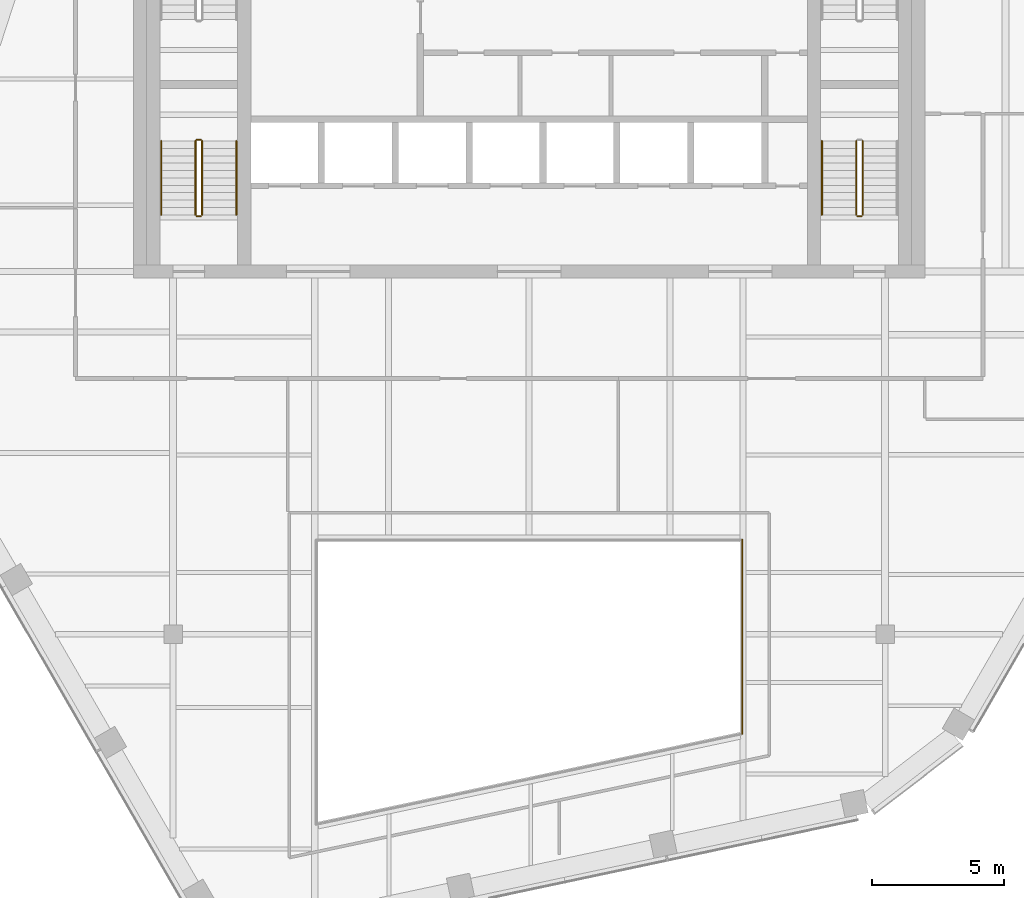
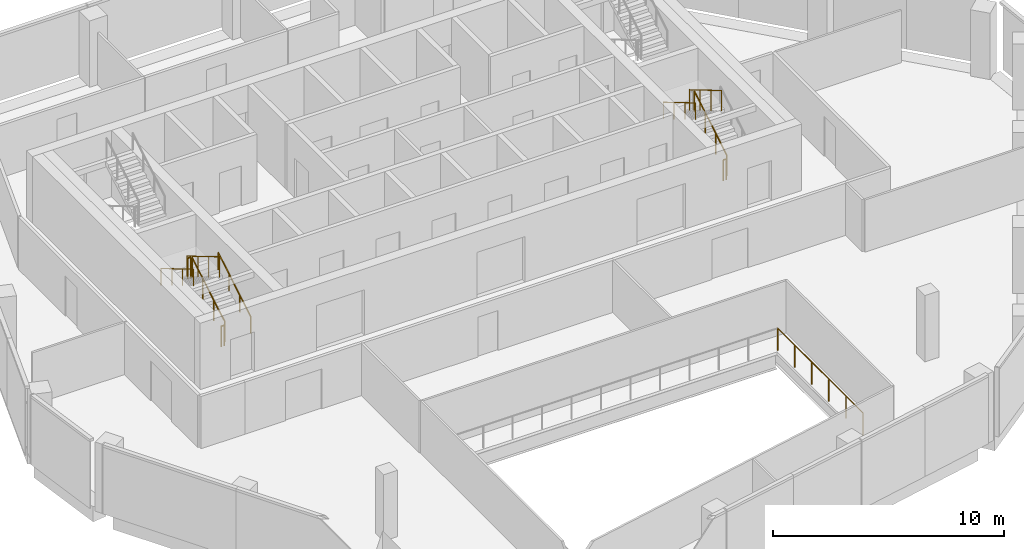
# One storey, part 12 of 15: 11 railings.
"""IFC4 building model written with IfcOpenShell, lengths in metres."""

import ifcopenshell
import ifcopenshell.guid

model = None  # the IFC model being written
_history = None  # IfcOwnerHistory: only IFC2X3 demands one
_inside = {}  # id of a spatial element -> (the spatial element, [elements in it])
_under = {}  # id of a project, library or spatial element -> (it, [spatial elements below it])
_declared = {}  # id of a project -> (the project, [libraries it declares])
_typed = {}  # id of a type object -> (the type object, [elements of that type])
_made_of = {}  # id of a material, layer set ... -> (it, [elements and type objects made of it])


def new_model(schema):
    """Start an empty IFC model of exactly this schema.

    Asked for "IFC4X3", IfcOpenShell would pick the latest addendum, in which some entities
    have other attributes; the version numbers below select the first issue.
    IFC2X3 requires an IfcOwnerHistory on every rooted entity: one is made here for all.
    """
    global model, _history
    if schema == "IFC4X3":
        model = ifcopenshell.file(schema_version=(4, 3, 0, 0))
    else:
        model = ifcopenshell.file(schema=schema)
    _inside.clear()
    _under.clear()
    _declared.clear()
    _typed.clear()
    _made_of.clear()
    _history = None
    if model.schema == "IFC2X3":
        org = make("IfcOrganization", Name="unknown")
        user = make(
            "IfcPersonAndOrganization",
            ThePerson=make("IfcPerson", FamilyName="unknown"),
            TheOrganization=org,
        )
        app = make(
            "IfcApplication",
            ApplicationDeveloper=org,
            Version="unknown",
            ApplicationFullName="unknown",
            ApplicationIdentifier="unknown",
        )
        _history = make(
            "IfcOwnerHistory",
            OwningUser=user,
            OwningApplication=app,
            ChangeAction="ADDED",
            CreationDate=0,
        )
    return model


def make(cls, **values):
    """One entity of the class cls with the attributes given. An attribute that is None is left unset."""
    return model.create_entity(
        cls, **{name: value for name, value in values.items() if value is not None}
    )


def rooted(cls, **values):
    """An entity with a GlobalId (a new one), such as an element, a storey or a relation."""
    return make(cls, GlobalId=ifcopenshell.guid.new(), OwnerHistory=_history, **values)


def si_unit(unit_type, name, prefix=None):
    """IfcSIUnit, for example si_unit("LENGTHUNIT", "METRE", prefix="MILLI")."""
    return make("IfcSIUnit", UnitType=unit_type, Prefix=prefix, Name=name)


def assignment(units):
    """IfcUnitAssignment: the units of a project."""
    return None if units is None else make("IfcUnitAssignment", Units=units)


def point(xyz):
    """IfcCartesianPoint."""
    return None if xyz is None else make("IfcCartesianPoint", Coordinates=xyz)


def direction(xyz):
    """IfcDirection."""
    return None if xyz is None else make("IfcDirection", DirectionRatios=xyz)


def frame(location, z_axis=None, x_axis=None):
    """IfcAxis2Placement3D, a coordinate frame: its origin and axes. An axis left out is left unset."""
    return make(
        "IfcAxis2Placement3D",
        Location=point(location),
        Axis=direction(z_axis),
        RefDirection=direction(x_axis),
    )


def frame_2d(location, x_axis=None):
    """IfcAxis2Placement2D, a coordinate frame in the plane: its origin and x axis."""
    return make(
        "IfcAxis2Placement2D", Location=point(location), RefDirection=direction(x_axis)
    )


def origin():
    """The frame at (0, 0, 0) with its axes left unset."""
    return frame((0.0, 0.0, 0.0))


def origin_2d():
    """The frame at (0, 0) in the plane with its x axis left unset."""
    return frame_2d((0.0, 0.0))


def place(relative_to, where):
    """IfcLocalPlacement: puts the frame where relative to a parent placement (None: the world)."""
    return make(
        "IfcLocalPlacement", PlacementRelTo=relative_to, RelativePlacement=where
    )


def context(
    kind, dimensions, precision=None, world=None, true_north=None, identifier=None
):
    """IfcGeometricRepresentationContext, for example the 3D "Model" context."""
    return make(
        "IfcGeometricRepresentationContext",
        ContextIdentifier=identifier,
        ContextType=kind,
        CoordinateSpaceDimension=dimensions,
        Precision=precision,
        WorldCoordinateSystem=world,
        TrueNorth=true_north,
    )


def subcontext(parent, identifier, kind, view, scale=None):
    """IfcGeometricRepresentationSubContext, for example "Body" below "Model"."""
    return make(
        "IfcGeometricRepresentationSubContext",
        ContextIdentifier=identifier,
        ContextType=kind,
        ParentContext=parent,
        TargetScale=scale,
        TargetView=view,
    )


def project(units=None, contexts=None):
    """IfcProject with its units and contexts."""
    return rooted(
        "IfcProject",
        Name="project",
        RepresentationContexts=contexts,
        UnitsInContext=assignment(units),
    )


def spatial(cls, under=None, at=None, **own):
    """A site, building, storey or space (cls), placed at a placement, below another one or the project."""
    s = rooted(cls, ObjectPlacement=at, **own)
    if under is not None:
        _under.setdefault(under.id(), (under, []))[1].append(s)
    return s


def profile(cls, at=None, kind="AREA", **sizes):
    """A parametric profile (cls). Its sizes go by their IFC names, for example OverallWidth=200.0."""
    return make(cls, ProfileType=kind, Position=at, **sizes)


def circle(**sizes):
    """IfcCircleProfileDef."""
    return profile("IfcCircleProfileDef", **sizes)


def extrude(swept, where, along, depth):
    """IfcExtrudedAreaSolid: the profile swept, set in the frame where, extruded along a direction by depth."""
    return make(
        "IfcExtrudedAreaSolid",
        SweptArea=swept,
        Position=where,
        ExtrudedDirection=direction(along),
        Depth=depth,
    )


def shape(context_of_items, identifier, shape_type, items):
    """IfcShapeRepresentation: the items that make up one representation, for example the "Body"."""
    return make(
        "IfcShapeRepresentation",
        ContextOfItems=context_of_items,
        RepresentationIdentifier=identifier,
        RepresentationType=shape_type,
        Items=items,
    )


def material(Name=None, Category=None):
    """IfcMaterial."""
    return make("IfcMaterial", Name=Name, Category=Category)


def made_of(thing, what):
    """Note that an element or type object is made of a material, layer set ...; save() writes the relation."""
    if what is not None:
        _made_of.setdefault(what.id(), (what, []))[1].append(thing)
    return thing


def type_object(cls, material=None, **own):
    """A type object (cls), such as IfcWallType, which elements share."""
    return made_of(rooted(cls, **own), material)


def element(
    cls,
    number,
    at=None,
    inside=None,
    cuts=None,
    type_object=None,
    material=None,
    context=None,
    identifier="Body",
    shape_type=None,
    held_by="IfcProductDefinitionShape",
    body=None,
    shapes=None,
    **own,
):
    """One element of the class cls, such as IfcWall. Its Tag is "e" and its number.

    at: its placement. inside: the storey or other place that contains it. cuts: it is an
    opening in that element (IfcRelVoidsElement). A single representation is given by context,
    identifier, shape_type and body (its items); several are given by shapes. held_by: the class
    of the entity that holds the representations. save() writes the other relations.
    """
    e = rooted(cls, Tag="e%d" % number, ObjectPlacement=at, **own)
    if body is not None:
        shapes = [shape(context, identifier, shape_type, body)]
    if shapes is not None:
        e.Representation = make(held_by, Representations=shapes)
    if inside is not None:
        _inside.setdefault(inside.id(), (inside, []))[1].append(e)
    if cuts is not None:
        rooted(
            "IfcRelVoidsElement", RelatingBuildingElement=cuts, RelatedOpeningElement=e
        )
    if type_object is not None:
        _typed.setdefault(type_object.id(), (type_object, []))[1].append(e)
    return made_of(e, material)


def aggregate(whole, parts):
    """IfcRelAggregates: a whole, such as a stair, and the parts it consists of."""
    return rooted("IfcRelAggregates", RelatingObject=whole, RelatedObjects=parts)


def save(model, path):
    """Write the relations noted so far, then the file.

    IfcRelAggregates (storeys below a building ...), IfcRelContainedInSpatialStructure (elements
    in a storey), IfcRelDefinesByType, IfcRelAssociatesMaterial and IfcRelDeclares: one each for
    every whole, place, type object, material and project.
    """
    for whole, parts in _under.values():
        aggregate(whole, parts)
    for where, things in _inside.values():
        rooted(
            "IfcRelContainedInSpatialStructure",
            RelatedElements=things,
            RelatingStructure=where,
        )
    for kind, things in _typed.values():
        rooted("IfcRelDefinesByType", RelatedObjects=things, RelatingType=kind)
    for what, things in _made_of.values():
        rooted("IfcRelAssociatesMaterial", RelatedObjects=things, RelatingMaterial=what)
    for by, libraries in _declared.values():
        rooted("IfcRelDeclares", RelatingContext=by, RelatedDefinitions=libraries)
    model.write(path)


model = new_model("IFC4")

# Units and contexts
model_context = context("Model", 3, precision=1e-05, world=origin(), true_north=direction((0.0, 1.0)))
body_context = subcontext(model_context, "Body", "Model", "MODEL_VIEW")
ifc_project = project(units=[si_unit("LENGTHUNIT", "METRE"), si_unit("AREAUNIT", "SQUARE_METRE"), si_unit("VOLUMEUNIT", "CUBIC_METRE"), si_unit("PLANEANGLEUNIT", "RADIAN"), si_unit("MASSUNIT", "GRAM", prefix="KILO")], contexts=[model_context])

# Site, building, storey
site_placement = place(None, origin())
site = spatial("IfcSite", under=ifc_project, at=site_placement, CompositionType="ELEMENT")
building_placement = place(site_placement, origin())
building = spatial("IfcBuilding", under=site, at=building_placement, Name="Isthmus Gate Tower", CompositionType="ELEMENT")
storey_placement = place(building_placement, frame((0.0, 0.0, 275.550048828125)))
storey = spatial("IfcBuildingStorey", under=building, at=storey_placement, Name="L70", CompositionType="ELEMENT", Elevation=275.550048828125)

# Railings
ifc_material_1 = material(Name="Laminated toughened glass balustrade with steel rail", Category="steel")
railing_type_1 = type_object("IfcRailingType", Name="ATRIUM GUARD GLASS BALUSTRADE 1200", PredefinedType="GUARDRAIL", material=ifc_material_1)
railing_1_placement = place(storey_placement, frame((8.080078125, -9.919921875, 0.0)))
element("IfcRailing", 1, at=railing_1_placement, inside=storey, type_object=railing_type_1, Name="L70 atrium guard", PredefinedType="GUARDRAIL", context=body_context, shape_type="SweptSolid", body=[
    extrude(circle(Radius=0.02490234375, at=origin_2d()), frame((0.0, 0.0, 1.1748046875), z_axis=(0.0, -1.0, 0.0), x_axis=(1.0, 0.0, 0.0)), (0.0, 0.0, 1.0), 7.35498046875),
    extrude(circle(Radius=0.02490234375, at=origin_2d()), origin(), (0.0, 0.0, 1.0), 1.14990234375),
    extrude(circle(Radius=0.02490234375, at=origin_2d()), frame((0.0, -1.470947265625, 0.0)), (0.0, 0.0, 1.0), 1.14990234375),
    extrude(circle(Radius=0.02490234375, at=origin_2d()), frame((0.0, -2.94189453125, 0.0)), (0.0, 0.0, 1.0), 1.14990234375),
    extrude(circle(Radius=0.02490234375, at=origin_2d()), frame((0.0, -4.4130859375, 0.0)), (0.0, 0.0, 1.0), 1.14990234375),
    extrude(circle(Radius=0.02490234375, at=origin_2d()), frame((0.0, -5.884033203125, 0.0)), (0.0, 0.0, 1.0), 1.14990234375),
    extrude(circle(Radius=0.02490234375, at=origin_2d()), frame((0.0, -7.35498046875, 0.0)), (0.0, 0.0, 1.0), 1.14990234375),
])
ifc_material_2 = material(Name="Stainless steel balustrade", Category="steel")
railing_type_2 = type_object("IfcRailingType", Name="STAIR GUARD 1100", PredefinedType="GUARDRAIL", material=ifc_material_2)
railing_2_placement = place(storey_placement, frame((-12.39990234375, 2.39990234375, 0.165771484375)))
element("IfcRailing", 2, at=railing_2_placement, inside=storey, type_object=railing_type_2, Name="L70 ST7 stair guard 1", PredefinedType="GUARDRAIL", context=body_context, shape_type="SweptSolid", body=[
    extrude(circle(Radius=0.02392578125, at=origin_2d()), frame((0.0, 0.0, 1.076171875), z_axis=(0.0, 0.860306154799, 0.50977771628), x_axis=(-1.0, 0.0, 0.0)), (0.0, 0.0, 1.0), 3.254638671875),
    extrude(circle(Radius=0.02099609375, at=origin_2d()), origin(), (0.0, 0.0, 1.0), 1.052001953125),
    extrude(circle(Radius=0.02099609375, at=origin_2d()), frame((0.0, 0.933349609375, 0.552978515625)), (0.0, 0.0, 1.0), 1.052001953125),
    extrude(circle(Radius=0.02099609375, at=origin_2d()), frame((0.0, 1.86669921875, 1.106201171875)), (0.0, 0.0, 1.0), 1.052001953125),
    extrude(circle(Radius=0.02099609375, at=origin_2d()), frame((0.0, 2.800048828125, 1.6591796875)), (0.0, 0.0, 1.0), 1.052001953125),
])
railing_3_placement = place(storey_placement, frame((-12.449951171875, 5.25, 1.824951171875)))
element("IfcRailing", 3, at=railing_3_placement, inside=storey, type_object=railing_type_2, Name="L70 ST7 stair guard 2", PredefinedType="GUARDRAIL", context=body_context, shape_type="SweptSolid", body=[
    extrude(circle(Radius=0.02392578125, at=origin_2d()), frame((0.0, 0.0, 1.076171875), z_axis=(-1.0, 0.0, 0.0), x_axis=(0.0, -1.0, 0.0)), (0.0, 0.0, 1.0), 0.150146484375),
    extrude(circle(Radius=0.02099609375, at=origin_2d()), origin(), (0.0, 0.0, 1.0), 1.052001953125),
    extrude(circle(Radius=0.02099609375, at=origin_2d()), frame((-0.150146484375, 0.0, 0.0)), (0.0, 0.0, 1.0), 1.052001953125),
])
railing_4_placement = place(storey_placement, frame((-12.64990234375, 5.199951171875, 1.990966796875)))
element("IfcRailing", 4, at=railing_4_placement, inside=storey, type_object=railing_type_2, Name="L70 ST7 stair guard 3", PredefinedType="GUARDRAIL", context=body_context, shape_type="SweptSolid", body=[
    extrude(circle(Radius=0.02392578125, at=origin_2d()), frame((0.0, 0.0, 1.076171875), z_axis=(0.0, -0.860339051648, 0.50972219513), x_axis=(1.0, 0.0, 0.0)), (0.0, 0.0, 1.0), 3.254638671875),
    extrude(circle(Radius=0.02099609375, at=origin_2d()), origin(), (0.0, 0.0, 1.0), 1.052001953125),
    extrude(circle(Radius=0.02099609375, at=origin_2d()), frame((0.0, -0.933349609375, 0.552978515625)), (0.0, 0.0, 1.0), 1.052001953125),
    extrude(circle(Radius=0.02099609375, at=origin_2d()), frame((0.0, -1.86669921875, 1.10595703125)), (0.0, 0.0, 1.0), 1.052001953125),
    extrude(circle(Radius=0.02099609375, at=origin_2d()), frame((0.0, -2.800048828125, 1.658935546875)), (0.0, 0.0, 1.0), 1.052001953125),
])
railing_5_placement = place(storey_placement, frame((-12.449951171875, 2.35009765625, 0.0)))
element("IfcRailing", 5, at=railing_5_placement, inside=storey, type_object=railing_type_2, Name="L70 ST7 stair guard 4", PredefinedType="GUARDRAIL", context=body_context, shape_type="SweptSolid", body=[
    extrude(circle(Radius=0.02392578125, at=origin_2d()), frame((0.0, 0.0, 1.076171875), z_axis=(-1.0, 0.0, 0.0), x_axis=(0.0, -1.0, 0.0)), (0.0, 0.0, 1.0), 0.150146484375),
    extrude(circle(Radius=0.02099609375, at=origin_2d()), origin(), (0.0, 0.0, 1.0), 1.052001953125),
    extrude(circle(Radius=0.02099609375, at=origin_2d()), frame((-0.150146484375, 0.0, 0.0)), (0.0, 0.0, 1.0), 1.052001953125),
])
railing_6_placement = place(storey_placement, frame((12.64990234375, 2.39990234375, 0.165771484375)))
element("IfcRailing", 6, at=railing_6_placement, inside=storey, type_object=railing_type_2, Name="L70 ST8 stair guard 1", PredefinedType="GUARDRAIL", context=body_context, shape_type="SweptSolid", body=[
    extrude(circle(Radius=0.02392578125, at=origin_2d()), frame((0.0, 0.0, 1.076171875), z_axis=(0.0, 0.860306154799, 0.50977771628), x_axis=(-1.0, 0.0, 0.0)), (0.0, 0.0, 1.0), 3.254638671875),
    extrude(circle(Radius=0.02099609375, at=origin_2d()), origin(), (0.0, 0.0, 1.0), 1.052001953125),
    extrude(circle(Radius=0.02099609375, at=origin_2d()), frame((0.0, 0.933349609375, 0.552978515625)), (0.0, 0.0, 1.0), 1.052001953125),
    extrude(circle(Radius=0.02099609375, at=origin_2d()), frame((0.0, 1.86669921875, 1.106201171875)), (0.0, 0.0, 1.0), 1.052001953125),
    extrude(circle(Radius=0.02099609375, at=origin_2d()), frame((0.0, 2.800048828125, 1.6591796875)), (0.0, 0.0, 1.0), 1.052001953125),
])
railing_7_placement = place(storey_placement, frame((12.39990234375, 5.199951171875, 1.990966796875)))
element("IfcRailing", 7, at=railing_7_placement, inside=storey, type_object=railing_type_2, Name="L70 ST8 stair guard 3", PredefinedType="GUARDRAIL", context=body_context, shape_type="SweptSolid", body=[
    extrude(circle(Radius=0.02392578125, at=origin_2d()), frame((0.0, 0.0, 1.076171875), z_axis=(0.0, -0.860339051648, 0.50972219513), x_axis=(1.0, 0.0, 0.0)), (0.0, 0.0, 1.0), 3.254638671875),
    extrude(circle(Radius=0.02099609375, at=origin_2d()), origin(), (0.0, 0.0, 1.0), 1.052001953125),
    extrude(circle(Radius=0.02099609375, at=origin_2d()), frame((0.0, -0.933349609375, 0.552978515625)), (0.0, 0.0, 1.0), 1.052001953125),
    extrude(circle(Radius=0.02099609375, at=origin_2d()), frame((0.0, -1.86669921875, 1.10595703125)), (0.0, 0.0, 1.0), 1.052001953125),
    extrude(circle(Radius=0.02099609375, at=origin_2d()), frame((0.0, -2.800048828125, 1.658935546875)), (0.0, 0.0, 1.0), 1.052001953125),
])
railing_8_placement = place(storey_placement, frame((12.60009765625, 2.35009765625, 0.0)))
element("IfcRailing", 8, at=railing_8_placement, inside=storey, type_object=railing_type_2, Name="L70 ST8 stair guard 4", PredefinedType="GUARDRAIL", context=body_context, shape_type="SweptSolid", body=[
    extrude(circle(Radius=0.02392578125, at=origin_2d()), frame((0.0, 0.0, 1.076171875), z_axis=(-1.0, 0.0, 0.0), x_axis=(0.0, -1.0, 0.0)), (0.0, 0.0, 1.0), 0.150146484375),
    extrude(circle(Radius=0.02099609375, at=origin_2d()), origin(), (0.0, 0.0, 1.0), 1.052001953125),
    extrude(circle(Radius=0.02099609375, at=origin_2d()), frame((-0.150146484375, 0.0, 0.0)), (0.0, 0.0, 1.0), 1.052001953125),
])
ifc_material_3 = material(Name="Stainless steel handrail", Category="steel")
railing_type_3 = type_object("IfcRailingType", Name="STAIR HANDRAIL 900", PredefinedType="HANDRAIL", material=ifc_material_3)
railing_9_placement = place(storey_placement, frame((-11.10009765625, 2.39990234375, 0.165771484375)))
element("IfcRailing", 9, at=railing_9_placement, inside=storey, type_object=railing_type_3, Name="L70 ST7 stair handrail 1", PredefinedType="HANDRAIL", context=body_context, shape_type="SweptSolid", body=[
    extrude(circle(Radius=0.02392578125, at=origin_2d()), frame((0.0, 0.0, 0.8759765625), z_axis=(0.0, 0.860306154799, 0.50977771628), x_axis=(-1.0, 0.0, 0.0)), (0.0, 0.0, 1.0), 3.254638671875),
    extrude(circle(Radius=0.02099609375, at=origin_2d()), origin(), (0.0, 0.0, 1.0), 0.851806640625),
    extrude(circle(Radius=0.02099609375, at=origin_2d()), frame((0.0, 0.933349609375, 0.552978515625)), (0.0, 0.0, 1.0), 0.851806640625),
    extrude(circle(Radius=0.02099609375, at=origin_2d()), frame((0.0, 1.86669921875, 1.106201171875)), (0.0, 0.0, 1.0), 0.851806640625),
    extrude(circle(Radius=0.02099609375, at=origin_2d()), frame((0.0, 2.800048828125, 1.6591796875)), (0.0, 0.0, 1.0), 0.851806640625),
])
for number, where, name in (
    (10, (-13.949951171875, 5.199951171875, 1.990966796875), "L70 ST7 stair handrail 2"),
    (11, (11.10009765625, 5.199951171875, 1.990966796875), "L70 ST8 stair handrail 2"),
):
    element("IfcRailing", number, at=place(storey_placement, frame(where)), inside=storey, type_object=railing_type_3, Name=name, PredefinedType="HANDRAIL", context=body_context, shape_type="SweptSolid", body=[
        extrude(circle(Radius=0.02392578125, at=origin_2d()), frame((0.0, 0.0, 0.8759765625), z_axis=(0.0, -0.860339051648, 0.50972219513), x_axis=(1.0, 0.0, 0.0)), (0.0, 0.0, 1.0), 3.254638671875),
        extrude(circle(Radius=0.02099609375, at=origin_2d()), origin(), (0.0, 0.0, 1.0), 0.851806640625),
        extrude(circle(Radius=0.02099609375, at=origin_2d()), frame((0.0, -0.933349609375, 0.552978515625)), (0.0, 0.0, 1.0), 0.851806640625),
        extrude(circle(Radius=0.02099609375, at=origin_2d()), frame((0.0, -1.86669921875, 1.10595703125)), (0.0, 0.0, 1.0), 0.851806640625),
        extrude(circle(Radius=0.02099609375, at=origin_2d()), frame((0.0, -2.800048828125, 1.658935546875)), (0.0, 0.0, 1.0), 0.851806640625),
    ])

save(model, "model.ifc")
